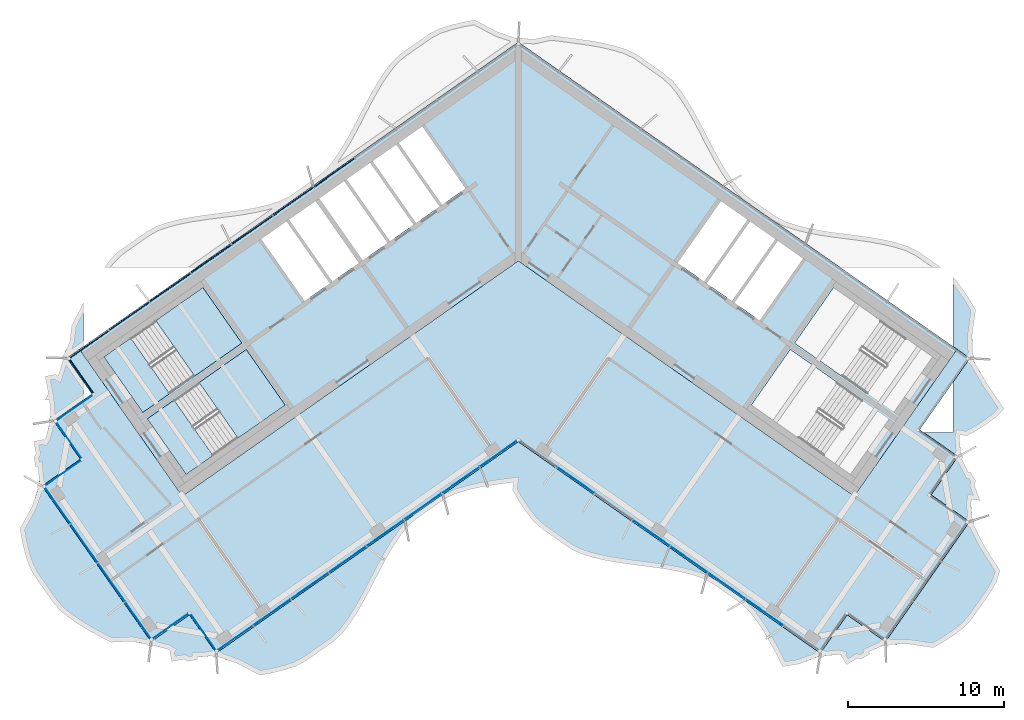
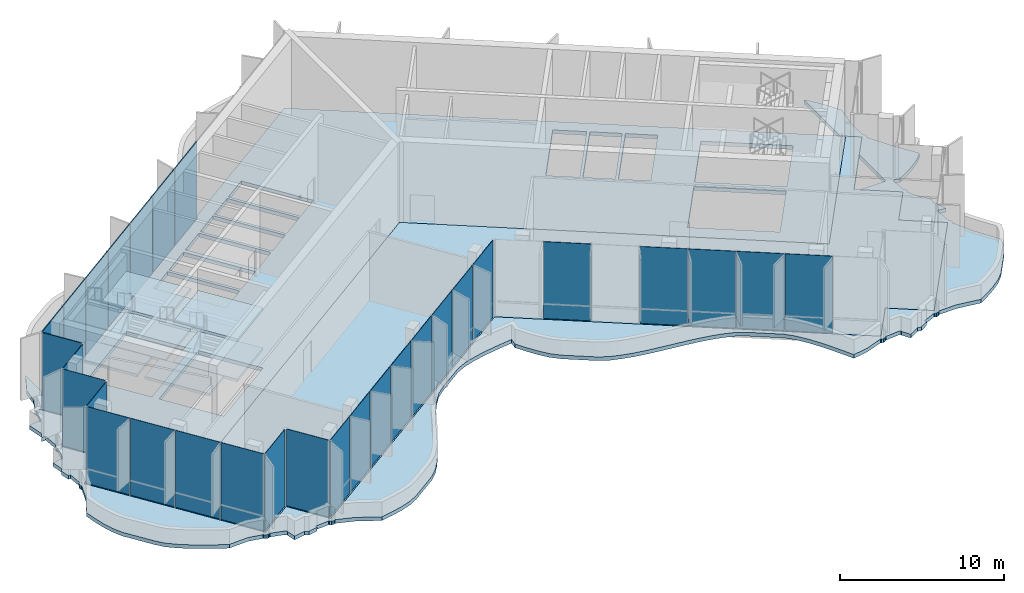
# One storey, part 7 of 18: 30 plates, 9 slabs, 4 elements without a shape of their own.
"""IFC4 building model written with IfcOpenShell, lengths in metres."""

from ifc_helpers import new_model, si_unit, direction, frame, origin, origin_2d, place, context, subcontext, project, spatial, polyline, rectangle, outline, extrude, material, layer, layer_set, type_object, element, aggregate, save


model = new_model("IFC4")

# Units and contexts
model_context = context("Model", 3, precision=1e-05, world=origin(), true_north=direction((0.0, 1.0)))
body_context = subcontext(model_context, "Body", "Model", "MODEL_VIEW")
ifc_project = project(units=[si_unit("LENGTHUNIT", "METRE"), si_unit("AREAUNIT", "SQUARE_METRE"), si_unit("VOLUMEUNIT", "CUBIC_METRE"), si_unit("PLANEANGLEUNIT", "RADIAN"), si_unit("MASSUNIT", "GRAM", prefix="KILO")], contexts=[model_context])

# Site, building, storey
site_placement = place(None, origin())
site = spatial("IfcSite", under=ifc_project, at=site_placement, CompositionType="ELEMENT")
building_placement = place(site_placement, origin())
building = spatial("IfcBuilding", under=site, at=building_placement, Name="Tel Ilan Convention Tower", CompositionType="ELEMENT")
storey_placement = place(building_placement, frame((0.0, 0.0, 307.300048828125)))
storey = spatial("IfcBuildingStorey", under=building, at=storey_placement, Name="L73", CompositionType="ELEMENT", Elevation=307.300048828125)

# Curtain wall, plates
ifc_material_1 = material(Name="Aluminium, bronze anodised", Category="aluminium")
curtain_wall_type_1 = type_object("IfcCurtainWallType", Name="CW2 STICK CURTAIN WALL, SPANDREL PANELS", PredefinedType="NOTDEFINED", material=ifc_material_1)
curtain_wall_1_placement = place(storey_placement, origin())
curtain_wall_1 = element("IfcCurtainWall", 1, at=curtain_wall_1_placement, inside=storey, type_object=curtain_wall_type_1, Name="Curtain wall CW2-55.01", PredefinedType="NOTDEFINED")
ifc_material_2 = material(Name="Aluminium composite panel, bronze anodised", Category="aluminium")
ifc_layer_1 = layer(ifc_material_2, 0.06005859375)
ifc_layer_set_1 = layer_set([ifc_layer_1], Name="CW SPANDREL PANEL 60")
plate_type_1 = type_object("IfcPlateType", Name="CW SPANDREL PANEL 60", PredefinedType="CURTAIN_PANEL", material=ifc_layer_set_1)
plate_1_placement = place(storey_placement, frame((-11.789306640625, 4.44091796875, 0.0), z_axis=(0.0, 0.0, 1.0), x_axis=(-0.819152044289, -0.573576436351, 0.0)))
plate_1 = element("IfcPlate", 2, at=plate_1_placement, type_object=plate_type_1, Name="Spandrel panel", PredefinedType="CURTAIN_PANEL", context=body_context, shape_type="SweptSolid", body=[
    extrude(rectangle(XDim=3.15380859375, YDim=0.06005859375, at=origin_2d()), origin(), (0.0, 0.0, 1.0), 5.719970703125),
])
plate_2_placement = place(storey_placement, frame((-14.422119140625, 2.59765625, 0.0), z_axis=(0.0, 0.0, 1.0), x_axis=(-0.819152044289, -0.573576436351, 0.0)))
plate_2 = element("IfcPlate", 3, at=plate_2_placement, type_object=plate_type_1, Name="Spandrel panel", PredefinedType="CURTAIN_PANEL", context=body_context, shape_type="SweptSolid", body=[
    extrude(rectangle(XDim=3.15380859375, YDim=0.06005859375, at=origin_2d()), origin(), (0.0, 0.0, 1.0), 5.719970703125),
])
plate_3_placement = place(storey_placement, frame((-17.0546875, 0.754150390625, 0.0), z_axis=(0.0, 0.0, 1.0), x_axis=(-0.819152044289, -0.573576436351, 0.0)))
plate_3 = element("IfcPlate", 4, at=plate_3_placement, type_object=plate_type_1, Name="Spandrel panel", PredefinedType="CURTAIN_PANEL", context=body_context, shape_type="SweptSolid", body=[
    extrude(rectangle(XDim=3.15380859375, YDim=0.06005859375, at=origin_2d()), origin(), (0.0, 0.0, 1.0), 5.719970703125),
])
plate_4_placement = place(storey_placement, frame((-19.687255859375, -1.089111328125, 0.0), z_axis=(0.0, 0.0, 1.0), x_axis=(-0.819152044289, -0.573576436351, 0.0)))
plate_4 = element("IfcPlate", 5, at=plate_4_placement, type_object=plate_type_1, Name="Spandrel panel", PredefinedType="CURTAIN_PANEL", context=body_context, shape_type="SweptSolid", body=[
    extrude(rectangle(XDim=3.15380859375, YDim=0.06005859375, at=origin_2d()), origin(), (0.0, 0.0, 1.0), 5.719970703125),
])
plate_5_placement = place(storey_placement, frame((-22.31982421875, -2.9326171875, 0.0), z_axis=(0.0, 0.0, 1.0), x_axis=(-0.819152044289, -0.573576436351, 0.0)))
plate_5 = element("IfcPlate", 6, at=plate_5_placement, type_object=plate_type_1, Name="Spandrel panel", PredefinedType="CURTAIN_PANEL", context=body_context, shape_type="SweptSolid", body=[
    extrude(rectangle(XDim=3.15380859375, YDim=0.06005859375, at=origin_2d()), origin(), (0.0, 0.0, 1.0), 5.719970703125),
])
plate_6_placement = place(storey_placement, frame((-24.95263671875, -4.77587890625, 0.0), z_axis=(0.0, 0.0, 1.0), x_axis=(-0.819152044289, -0.573576436351, 0.0)))
plate_6 = element("IfcPlate", 7, at=plate_6_placement, type_object=plate_type_1, Name="Spandrel panel", PredefinedType="CURTAIN_PANEL", context=body_context, shape_type="SweptSolid", body=[
    extrude(rectangle(XDim=3.15380859375, YDim=0.06005859375, at=origin_2d()), origin(), (0.0, 0.0, 1.0), 5.719970703125),
])
plate_7_placement = place(storey_placement, frame((-27.5400390625, -6.587646484375, 0.0), z_axis=(0.0, 0.0, 1.0), x_axis=(-0.819152044289, -0.573576436351, 0.0)))
plate_7 = element("IfcPlate", 8, at=plate_7_placement, type_object=plate_type_1, Name="Spandrel panel", PredefinedType="CURTAIN_PANEL", context=body_context, shape_type="SweptSolid", body=[
    extrude(rectangle(XDim=3.0439453125, YDim=0.06005859375, at=origin_2d()), origin(), (0.0, 0.0, 1.0), 5.719970703125),
])
plate_8_placement = place(storey_placement, frame((-28.033935546875, -8.60546875, 0.0), z_axis=(0.0, 0.0, 1.0), x_axis=(0.573576436351, -0.819152044289, 0.0)))
plate_8 = element("IfcPlate", 9, at=plate_8_placement, type_object=plate_type_1, Name="Spandrel panel", PredefinedType="CURTAIN_PANEL", context=body_context, shape_type="SweptSolid", body=[
    extrude(rectangle(XDim=2.658935546875, YDim=0.06005859375, at=origin_2d()), origin(), (0.0, 0.0, 1.0), 5.719970703125),
])
aggregate(curtain_wall_1, [plate_1, plate_2, plate_3, plate_4, plate_5, plate_6, plate_7, plate_8])

ifc_material_3 = material(Name="Aluminium, bronze anodised", Category="aluminium")
curtain_wall_type_2 = type_object("IfcCurtainWallType", Name="CW5 STICK CURTAIN WALL, UPPER OFFICE LOW-IRON TINTED GLASS", PredefinedType="NOTDEFINED", material=ifc_material_3)
curtain_wall_2_placement = place(storey_placement, origin())
curtain_wall_2 = element("IfcCurtainWall", 10, at=curtain_wall_2_placement, inside=storey, type_object=curtain_wall_type_2, Name="Curtain wall CW5-55.02", PredefinedType="NOTDEFINED")
ifc_material_4 = material(Name="Glass, low-iron bronze tinted, two-ply", Category="glass")
ifc_layer_2 = layer(ifc_material_4, 0.031982421875)
ifc_layer_set_2 = layer_set([ifc_layer_2], Name="CW UPPER GLASS PANEL 32")
plate_type_2 = type_object("IfcPlateType", Name="CW UPPER GLASS PANEL 32", PredefinedType="CURTAIN_PANEL", material=ifc_layer_set_2)
plate_9_placement = place(storey_placement, frame((-28.473876953125, -10.65966796875, 0.0), z_axis=(0.0, 0.0, 1.0), x_axis=(-0.819152044289, -0.573576436351, 0.0)))
plate_9 = element("IfcPlate", 11, at=plate_9_placement, type_object=plate_type_2, Name="Glass panel", PredefinedType="CURTAIN_PANEL", context=body_context, shape_type="SweptSolid", body=[
    extrude(rectangle(XDim=2.875, YDim=0.028076171875, at=origin_2d()), origin(), (0.0, 0.0, 1.0), 5.719970703125),
])
plate_10_placement = place(storey_placement, frame((-28.832763671875, -12.695068359375, 0.0), z_axis=(0.0, 0.0, 1.0), x_axis=(0.573576436351, -0.819152044289, 0.0)))
plate_10 = element("IfcPlate", 12, at=plate_10_placement, type_object=plate_type_2, Name="Glass panel", PredefinedType="CURTAIN_PANEL", context=body_context, shape_type="SweptSolid", body=[
    extrude(rectangle(XDim=2.875, YDim=0.028076171875, at=origin_2d()), origin(), (0.0, 0.0, 1.0), 5.719970703125),
])
plate_11_placement = place(storey_placement, frame((-29.21044921875, -14.837890625, 0.0), z_axis=(0.0, 0.0, 1.0), x_axis=(-0.819152044289, -0.573576436351, 0.0)))
plate_11 = element("IfcPlate", 13, at=plate_11_placement, type_object=plate_type_2, Name="Glass panel", PredefinedType="CURTAIN_PANEL", context=body_context, shape_type="SweptSolid", body=[
    extrude(rectangle(XDim=2.875, YDim=0.028076171875, at=origin_2d()), origin(), (0.0, 0.0, 1.0), 5.719970703125),
])
plate_12_placement = place(storey_placement, frame((-29.5634765625, -16.8818359375, 0.0), z_axis=(0.0, 0.0, 1.0), x_axis=(0.573576436351, -0.819152044289, 0.0)))
plate_12 = element("IfcPlate", 14, at=plate_12_placement, type_object=plate_type_2, Name="Glass panel", PredefinedType="CURTAIN_PANEL", context=body_context, shape_type="SweptSolid", body=[
    extrude(rectangle(XDim=2.89599609375, YDim=0.028076171875, at=origin_2d()), origin(), (0.0, 0.0, 1.0), 5.719970703125),
])
plate_13_placement = place(storey_placement, frame((-27.841064453125, -19.341796875, 0.0), z_axis=(0.0, 0.0, 1.0), x_axis=(0.573576436351, -0.819152044289, 0.0)))
plate_13 = element("IfcPlate", 15, at=plate_13_placement, type_object=plate_type_2, Name="Glass panel", PredefinedType="CURTAIN_PANEL", context=body_context, shape_type="SweptSolid", body=[
    extrude(rectangle(XDim=2.989990234375, YDim=0.028076171875, at=origin_2d()), origin(), (0.0, 0.0, 1.0), 5.719970703125),
])
plate_14_placement = place(storey_placement, frame((-26.091552734375, -21.84033203125, 0.0), z_axis=(0.0, 0.0, 1.0), x_axis=(0.573576436351, -0.819152044289, 0.0)))
plate_14 = element("IfcPlate", 16, at=plate_14_placement, type_object=plate_type_2, Name="Glass panel", PredefinedType="CURTAIN_PANEL", context=body_context, shape_type="SweptSolid", body=[
    extrude(rectangle(XDim=2.989990234375, YDim=0.028076171875, at=origin_2d()), origin(), (0.0, 0.0, 1.0), 5.719970703125),
])
plate_15_placement = place(storey_placement, frame((-24.369140625, -24.30029296875, 0.0), z_axis=(0.0, 0.0, 1.0), x_axis=(0.573576436351, -0.819152044289, 0.0)))
plate_15 = element("IfcPlate", 17, at=plate_15_placement, type_object=plate_type_2, Name="Glass panel", PredefinedType="CURTAIN_PANEL", context=body_context, shape_type="SweptSolid", body=[
    extrude(rectangle(XDim=2.89599609375, YDim=0.028076171875, at=origin_2d()), origin(), (0.0, 0.0, 1.0), 5.719970703125),
])
plate_16_placement = place(storey_placement, frame((-22.32763671875, -24.667724609375, 0.0), z_axis=(0.0, 0.0, 1.0), x_axis=(0.819152044289, 0.573576436351, 0.0)))
plate_16 = element("IfcPlate", 18, at=plate_16_placement, type_object=plate_type_2, Name="Glass panel", PredefinedType="CURTAIN_PANEL", context=body_context, shape_type="SweptSolid", body=[
    extrude(rectangle(XDim=2.875, YDim=0.028076171875, at=origin_2d()), origin(), (0.0, 0.0, 1.0), 5.719970703125),
])
plate_17_placement = place(storey_placement, frame((-20.184814453125, -25.04541015625, 0.0), z_axis=(0.0, 0.0, 1.0), x_axis=(0.573576436351, -0.819152044289, 0.0)))
plate_17 = element("IfcPlate", 19, at=plate_17_placement, type_object=plate_type_2, Name="Glass panel", PredefinedType="CURTAIN_PANEL", context=body_context, shape_type="SweptSolid", body=[
    extrude(rectangle(XDim=2.875, YDim=0.028076171875, at=origin_2d()), origin(), (0.0, 0.0, 1.0), 5.719970703125),
])
plate_18_placement = place(storey_placement, frame((-18.17919921875, -25.42529296875, 0.0), z_axis=(0.0, 0.0, 1.0), x_axis=(0.819152044289, 0.573576436351, 0.0)))
plate_18 = element("IfcPlate", 20, at=plate_18_placement, type_object=plate_type_2, Name="Glass panel", PredefinedType="CURTAIN_PANEL", context=body_context, shape_type="SweptSolid", body=[
    extrude(rectangle(XDim=2.802001953125, YDim=0.028076171875, at=origin_2d()), origin(), (0.0, 0.0, 1.0), 5.719970703125),
])
plate_19_placement = place(storey_placement, frame((-15.79638671875, -23.7568359375, 0.0), z_axis=(0.0, 0.0, 1.0), x_axis=(0.819152044289, 0.573576436351, 0.0)))
plate_19 = element("IfcPlate", 21, at=plate_19_placement, type_object=plate_type_2, Name="Glass panel", PredefinedType="CURTAIN_PANEL", context=body_context, shape_type="SweptSolid", body=[
    extrude(rectangle(XDim=2.89599609375, YDim=0.028076171875, at=origin_2d()), origin(), (0.0, 0.0, 1.0), 5.719970703125),
])
plate_20_placement = place(storey_placement, frame((-13.375, -22.061279296875, 0.0), z_axis=(0.0, 0.0, 1.0), x_axis=(0.819152044289, 0.573576436351, 0.0)))
plate_20 = element("IfcPlate", 22, at=plate_20_placement, type_object=plate_type_2, Name="Glass panel", PredefinedType="CURTAIN_PANEL", context=body_context, shape_type="SweptSolid", body=[
    extrude(rectangle(XDim=2.89599609375, YDim=0.028076171875, at=origin_2d()), origin(), (0.0, 0.0, 1.0), 5.719970703125),
])
plate_21_placement = place(storey_placement, frame((-10.95361328125, -20.365966796875, 0.0), z_axis=(0.0, 0.0, 1.0), x_axis=(0.819152044289, 0.573576436351, 0.0)))
plate_21 = element("IfcPlate", 23, at=plate_21_placement, type_object=plate_type_2, Name="Glass panel", PredefinedType="CURTAIN_PANEL", context=body_context, shape_type="SweptSolid", body=[
    extrude(rectangle(XDim=2.89599609375, YDim=0.028076171875, at=origin_2d()), origin(), (0.0, 0.0, 1.0), 5.719970703125),
])
plate_22_placement = place(storey_placement, frame((-8.5322265625, -18.67041015625, 0.0), z_axis=(0.0, 0.0, 1.0), x_axis=(0.819152044289, 0.573576436351, 0.0)))
plate_22 = element("IfcPlate", 24, at=plate_22_placement, type_object=plate_type_2, Name="Glass panel", PredefinedType="CURTAIN_PANEL", context=body_context, shape_type="SweptSolid", body=[
    extrude(rectangle(XDim=2.89599609375, YDim=0.028076171875, at=origin_2d()), origin(), (0.0, 0.0, 1.0), 5.719970703125),
])
plate_23_placement = place(storey_placement, frame((-6.11083984375, -16.974853515625, 0.0), z_axis=(0.0, 0.0, 1.0), x_axis=(0.819152044289, 0.573576436351, 0.0)))
plate_23 = element("IfcPlate", 25, at=plate_23_placement, type_object=plate_type_2, Name="Glass panel", PredefinedType="CURTAIN_PANEL", context=body_context, shape_type="SweptSolid", body=[
    extrude(rectangle(XDim=2.89599609375, YDim=0.028076171875, at=origin_2d()), origin(), (0.0, 0.0, 1.0), 5.719970703125),
])
plate_24_placement = place(storey_placement, frame((-3.689453125, -15.279541015625, 0.0), z_axis=(0.0, 0.0, 1.0), x_axis=(0.819152044289, 0.573576436351, 0.0)))
plate_24 = element("IfcPlate", 26, at=plate_24_placement, type_object=plate_type_2, Name="Glass panel", PredefinedType="CURTAIN_PANEL", context=body_context, shape_type="SweptSolid", body=[
    extrude(rectangle(XDim=2.89599609375, YDim=0.028076171875, at=origin_2d()), origin(), (0.0, 0.0, 1.0), 5.719970703125),
])
plate_25_placement = place(storey_placement, frame((-1.2685546875, -13.584228515625, 0.0), z_axis=(0.0, 0.0, 1.0), x_axis=(0.819152044289, 0.573576436351, 0.0)))
plate_25 = element("IfcPlate", 27, at=plate_25_placement, type_object=plate_type_2, Name="Glass panel", PredefinedType="CURTAIN_PANEL", context=body_context, shape_type="SweptSolid", body=[
    extrude(rectangle(XDim=2.89501953125, YDim=0.028076171875, at=origin_2d()), origin(), (0.0, 0.0, 1.0), 5.719970703125),
])
plate_26_placement = place(storey_placement, frame((3.689453125, -15.279541015625, 0.0), z_axis=(0.0, 0.0, 1.0), x_axis=(0.819152044289, -0.573576436351, 0.0)))
plate_26 = element("IfcPlate", 28, at=plate_26_placement, type_object=plate_type_2, Name="Glass panel", PredefinedType="CURTAIN_PANEL", context=body_context, shape_type="SweptSolid", body=[
    extrude(rectangle(XDim=2.89599609375, YDim=0.028076171875, at=origin_2d()), origin(), (0.0, 0.0, 1.0), 5.719970703125),
])
plate_27_placement = place(storey_placement, frame((8.5322265625, -18.67041015625, 0.0), z_axis=(0.0, 0.0, 1.0), x_axis=(0.819152044289, -0.573576436351, 0.0)))
plate_27 = element("IfcPlate", 29, at=plate_27_placement, type_object=plate_type_2, Name="Glass panel", PredefinedType="CURTAIN_PANEL", context=body_context, shape_type="SweptSolid", body=[
    extrude(rectangle(XDim=2.89599609375, YDim=0.028076171875, at=origin_2d()), origin(), (0.0, 0.0, 1.0), 5.719970703125),
])
plate_28_placement = place(storey_placement, frame((10.95361328125, -20.365966796875, 0.0), z_axis=(0.0, 0.0, 1.0), x_axis=(0.819152044289, -0.573576436351, 0.0)))
plate_28 = element("IfcPlate", 30, at=plate_28_placement, type_object=plate_type_2, Name="Glass panel", PredefinedType="CURTAIN_PANEL", context=body_context, shape_type="SweptSolid", body=[
    extrude(rectangle(XDim=2.89599609375, YDim=0.028076171875, at=origin_2d()), origin(), (0.0, 0.0, 1.0), 5.719970703125),
])
plate_29_placement = place(storey_placement, frame((13.375, -22.061279296875, 0.0), z_axis=(0.0, 0.0, 1.0), x_axis=(0.819152044289, -0.573576436351, 0.0)))
plate_29 = element("IfcPlate", 31, at=plate_29_placement, type_object=plate_type_2, Name="Glass panel", PredefinedType="CURTAIN_PANEL", context=body_context, shape_type="SweptSolid", body=[
    extrude(rectangle(XDim=2.89599609375, YDim=0.028076171875, at=origin_2d()), origin(), (0.0, 0.0, 1.0), 5.719970703125),
])
plate_30_placement = place(storey_placement, frame((15.79638671875, -23.7568359375, 0.0), z_axis=(0.0, 0.0, 1.0), x_axis=(0.819152044289, -0.573576436351, 0.0)))
plate_30 = element("IfcPlate", 32, at=plate_30_placement, type_object=plate_type_2, Name="Glass panel", PredefinedType="CURTAIN_PANEL", context=body_context, shape_type="SweptSolid", body=[
    extrude(rectangle(XDim=2.89599609375, YDim=0.028076171875, at=origin_2d()), origin(), (0.0, 0.0, 1.0), 5.719970703125),
])
aggregate(curtain_wall_2, [plate_9, plate_10, plate_11, plate_12, plate_13, plate_14, plate_15, plate_16, plate_17, plate_18, plate_19, plate_20, plate_21, plate_22, plate_23, plate_24, plate_25, plate_26, plate_27, plate_28, plate_29, plate_30])

# Stair, slabs
ifc_material_5 = material(Name="Concrete C40/50", Category="concrete")
stair_type = type_object("IfcStairType", Name="Pressurised Exit Stair 32 risers 188 mm", PredefinedType="HALF_TURN_STAIR", material=ifc_material_5)
stair_1_placement = place(storey_placement, origin())
stair_1 = element("IfcStair", 33, at=stair_1_placement, inside=storey, type_object=stair_type, Name="L73 Pressurised Stair S1", PredefinedType="HALF_TURN_STAIR")
ifc_material_6 = material(Name="Concrete C40/50", Category="concrete")
ifc_layer_3 = layer(ifc_material_6, 0.199951171875)
ifc_layer_set_3 = layer_set([ifc_layer_3], Name="Concrete Stair Landing 200 mm C40/50")
slab_type_1 = type_object("IfcSlabType", Name="Concrete Stair Landing 200 mm", PredefinedType="LANDING", material=ifc_layer_set_3)
slab_1_placement = place(storey_placement, frame((0.0, 0.0, 1.300048828125)))
slab_1 = element("IfcSlab", 34, at=slab_1_placement, type_object=slab_type_1, Name="S1 landing 1", PredefinedType="LANDING", context=body_context, shape_type="SweptSolid", body=[
    extrude(outline(polyline([(-20.754638671875, -8.61181640625), (-17.7314453125, -6.494873046875), (-20.226318359375, -2.931640625), (-23.249755859375, -5.048583984375), (-20.754638671875, -8.61181640625)])), origin(), (0.0, 0.0, 1.0), 0.199951171875),
])
slab_2_placement = place(storey_placement, frame((0.0, 0.0, 2.800048828125)))
slab_2 = element("IfcSlab", 35, at=slab_2_placement, type_object=slab_type_1, Name="S1 landing 2", PredefinedType="LANDING", context=body_context, shape_type="SweptSolid", body=[
    extrude(outline(polyline([(-24.079833984375, -10.940185546875), (-22.35888671875, -9.735107421875), (-24.85400390625, -6.171875), (-26.574951171875, -7.376708984375), (-24.079833984375, -10.940185546875)])), origin(), (0.0, 0.0, 1.0), 0.199951171875),
])
slab_3_placement = place(storey_placement, frame((0.0, 0.0, 4.300048828125)))
slab_3 = element("IfcSlab", 36, at=slab_3_placement, type_object=slab_type_1, Name="S1 landing 3", PredefinedType="LANDING", context=body_context, shape_type="SweptSolid", body=[
    extrude(outline(polyline([(-20.754638671875, -8.61181640625), (-17.7314453125, -6.494873046875), (-20.226318359375, -2.931640625), (-23.249755859375, -5.048583984375), (-20.754638671875, -8.61181640625)])), origin(), (0.0, 0.0, 1.0), 0.199951171875),
])
aggregate(stair_1, [slab_1, slab_2, slab_3])

stair_2_placement = place(storey_placement, origin())
stair_2 = element("IfcStair", 37, at=stair_2_placement, inside=storey, type_object=stair_type, Name="L73 Pressurised Stair S2", PredefinedType="HALF_TURN_STAIR")
slab_4_placement = place(storey_placement, frame((0.0, 0.0, 1.300048828125)))
slab_4 = element("IfcSlab", 38, at=slab_4_placement, type_object=slab_type_1, Name="S2 landing 1", PredefinedType="LANDING", context=body_context, shape_type="SweptSolid", body=[
    extrude(outline(polyline([(-17.972900390625, -12.584716796875), (-14.949462890625, -10.4677734375), (-17.444580078125, -6.904541015625), (-20.468017578125, -9.021484375), (-17.972900390625, -12.584716796875)])), origin(), (0.0, 0.0, 1.0), 0.199951171875),
])
slab_5_placement = place(storey_placement, frame((0.0, 0.0, 2.800048828125)))
slab_5 = element("IfcSlab", 39, at=slab_5_placement, type_object=slab_type_1, Name="S2 landing 2", PredefinedType="LANDING", context=body_context, shape_type="SweptSolid", body=[
    extrude(outline(polyline([(-21.2978515625, -14.9130859375), (-19.5771484375, -13.7080078125), (-22.072021484375, -10.144775390625), (-23.79296875, -11.349609375), (-21.2978515625, -14.9130859375)])), origin(), (0.0, 0.0, 1.0), 0.199951171875),
])
slab_6_placement = place(storey_placement, frame((0.0, 0.0, 4.300048828125)))
slab_6 = element("IfcSlab", 40, at=slab_6_placement, type_object=slab_type_1, Name="S2 landing 3", PredefinedType="LANDING", context=body_context, shape_type="SweptSolid", body=[
    extrude(outline(polyline([(-17.972900390625, -12.584716796875), (-14.949462890625, -10.4677734375), (-17.444580078125, -6.904541015625), (-20.468017578125, -9.021484375), (-17.972900390625, -12.584716796875)])), origin(), (0.0, 0.0, 1.0), 0.199951171875),
])
aggregate(stair_2, [slab_4, slab_5, slab_6])

# Slabs
ifc_material_7 = material(Name="Concrete C40/50", Category="concrete")
ifc_layer_4 = layer(ifc_material_7, 0.280029296875)
ifc_layer_set_4 = layer_set([ifc_layer_4], Name="Core Floor Slab 280 mm C40/50")
slab_type_2 = type_object("IfcSlabType", Name="Core Floor Slab 280 mm C40/50", PredefinedType="FLOOR", material=ifc_layer_set_4)
slab_7_placement = place(storey_placement, frame((0.0, 0.0, -0.280029296875)))
element("IfcSlab", 41, at=slab_7_placement, inside=storey, type_object=slab_type_2, Name="L73 core floor 1", PredefinedType="FLOOR", context=body_context, shape_type="SweptSolid", body=[
    extrude(outline(polyline([(0.0, 12.818115234375), (28.1396484375, -6.885498046875), (21.54345703125, -16.3056640625), (0.0, -1.220703125), (-21.54345703125, -16.3056640625), (-28.1396484375, -6.885498046875), (-13.013916015625, 3.705810546875), (-6.48876953125, 8.274658203125), (-4.6650390625, 9.5517578125), (-0.2412109375, 12.6494140625), (0.0, 12.818115234375)]), holes=[polyline([(-17.444580078125, -6.904541015625), (-22.072021484375, -10.144775390625), (-19.5771484375, -13.7080078125), (-14.949462890625, -10.4677734375), (-17.444580078125, -6.904541015625)]), polyline([(-17.7314453125, -6.494873046875), (-20.226318359375, -2.931640625), (-24.85400390625, -6.171875), (-22.35888671875, -9.735107421875), (-17.7314453125, -6.494873046875)]), polyline([(-14.864990234375, 1.310791015625), (-16.48291015625, 0.177978515625), (-13.701171875, -3.794921875), (-12.083251953125, -2.662109375), (-14.864990234375, 1.310791015625)]), polyline([(-14.701416015625, 1.425537109375), (-11.91943359375, -2.54736328125), (-10.2197265625, -1.357421875), (-13.001708984375, 2.615478515625), (-14.701416015625, 1.425537109375)]), polyline([(-11.168701171875, 3.89892578125), (-12.755859375, 2.78759765625), (-9.97412109375, -1.185302734375), (-8.386962890625, -0.073974609375), (-11.168701171875, 3.89892578125)]), polyline([(-9.499755859375, 5.067626953125), (-11.0048828125, 4.013671875), (-8.222900390625, 0.040771484375), (-6.718017578125, 1.0947265625), (-9.499755859375, 5.067626953125)]), polyline([(-9.3359375, 5.182373046875), (-6.553955078125, 1.20947265625), (-5.048828125, 2.263427734375), (-7.830810546875, 6.236328125), (-9.3359375, 5.182373046875)]), polyline([(17.444580078125, -6.904541015625), (14.949462890625, -10.4677734375), (19.5771484375, -13.7080078125), (22.072021484375, -10.144775390625), (17.444580078125, -6.904541015625)]), polyline([(20.226318359375, -2.931640625), (17.7314453125, -6.494873046875), (22.35888671875, -9.735107421875), (24.85400390625, -6.171875), (20.226318359375, -2.931640625)]), polyline([(15.48291015625, -5.04248046875), (18.2646484375, -1.069580078125), (16.646728515625, 0.063232421875), (13.864990234375, -3.90966796875), (15.48291015625, -5.04248046875)]), polyline([(13.701171875, -3.794921875), (16.48291015625, 0.177978515625), (14.864990234375, 1.310791015625), (12.083251953125, -2.662109375), (13.701171875, -3.794921875)]), polyline([(11.91943359375, -2.54736328125), (14.701416015625, 1.425537109375), (13.001708984375, 2.615478515625), (10.2197265625, -1.357421875), (11.91943359375, -2.54736328125)]), polyline([(-6.16162109375, 7.405029296875), (-7.666748046875, 6.35107421875), (-4.885009765625, 2.378173828125), (-3.3798828125, 3.43212890625), (-6.16162109375, 7.405029296875)])]), origin(), (0.0, 0.0, 1.0), 0.280029296875),
])
ifc_material_8 = material(Name="Concrete C40/50", Category="concrete")
ifc_layer_5 = layer(ifc_material_8, 0.280029296875)
ifc_layer_set_5 = layer_set([ifc_layer_5], Name="Edge Ledge Slab 280 mm C40/50")
slab_type_3 = type_object("IfcSlabType", Name="Edge Ledge Slab 280 mm C40/50", PredefinedType="FLOOR", material=ifc_layer_set_5)
slab_8_placement = place(storey_placement, frame((0.0, 0.0, -0.280029296875)))
element("IfcSlab", 42, at=slab_8_placement, inside=storey, type_object=slab_type_3, Name="L73 edge ledge 1", PredefinedType="FLOOR", context=body_context, shape_type="SweptSolid", body=[
    extrude(outline(polyline([(-21.201171875, -26.90673828125), (-21.43505859375, -26.76416015625), (-22.220703125, -26.912109375), (-22.353515625, -26.272705078125), (-22.322998046875, -26.222900390625), (-22.47900390625, -26.1279296875), (-23.377197265625, -25.89111328125), (-23.380615234375, -25.88623046875), (-23.4345703125, -25.92236328125), (-23.54931640625, -25.9453125), (-23.664306640625, -25.92236328125), (-23.761474609375, -25.857421875), (-23.790283203125, -25.81396484375), (-23.795166015625, -25.8173828125), (-24.760498046875, -25.6171875), (-26.1044921875, -25.68212890625), (-26.829833984375, -25.31396484375), (-27.530029296875, -24.92822265625), (-28.201171875, -24.52197265625), (-28.832275390625, -24.087890625), (-29.4140625, -23.619140625), (-29.873291015625, -23.064697265625), (-31.108154296875, -21.301025390625), (-31.42236328125, -20.64501953125), (-31.646484375, -19.92578125), (-31.82470703125, -19.17431640625), (-31.955078125, -18.389892578125), (-31.176513671875, -16.968505859375), (-30.792724609375, -15.82373046875), (-30.7880859375, -15.8203125), (-30.82421875, -15.766357421875), (-30.846923828125, -15.651611328125), (-30.82421875, -15.536865234375), (-30.759033203125, -15.439453125), (-30.7158203125, -15.410400390625), (-30.718994140625, -15.40576171875), (-30.792236328125, -14.43359375), (-30.93896484375, -14.461181640625), (-31.07177734375, -13.821533203125), (-30.92919921875, -13.587646484375), (-31.077392578125, -12.802001953125), (-30.437744140625, -12.66943359375), (-30.387939453125, -12.69970703125), (-30.29296875, -12.5439453125), (-30.055908203125, -11.6455078125), (-30.05126953125, -11.64208984375), (-30.08740234375, -11.588134765625), (-30.1103515625, -11.473388671875), (-30.08740234375, -11.358642578125), (-30.0224609375, -11.26123046875), (-29.97900390625, -11.232421875), (-29.982421875, -11.227783203125), (-30.06494140625, -10.129150390625), (-30.35888671875, -10.1484375), (-30.1298828125, -9.741455078125), (-30.340576171875, -8.623779296875), (-29.700927734375, -8.4912109375), (-29.5205078125, -8.601318359375), (-29.20458984375, -7.631103515625), (-29.199951171875, -7.6279296875), (-29.236083984375, -7.57373046875), (-29.2587890625, -7.458984375), (-29.236083984375, -7.34423828125), (-29.1708984375, -7.246826171875), (-29.127685546875, -7.218017578125), (-29.130859375, -7.21337890625), (-28.772216796875, -6.441650390625), (-28.635009765625, -5.353515625), (-28.252685546875, -4.614990234375), (-27.875, -3.881103515625), (-27.875, -6.7001953125), (-28.958740234375, -7.458984375), (-27.875, -9.007080078125), (-27.875, -10.1181640625), (-29.810302734375, -11.473388671875), (-28.089599609375, -13.930908203125), (-30.547119140625, -15.651611328125), (-23.54931640625, -25.645263671875), (-21.091796875, -23.924560546875), (-19.37109375, -26.382080078125), (0.0, -12.818115234375), (19.37109375, -26.382080078125), (21.091796875, -23.924560546875), (23.54931640625, -25.645263671875), (28.94091796875, -17.9453125), (26.4833984375, -16.224609375), (28.2041015625, -13.76708984375), (26.023681640625, -12.239990234375), (27.875, -12.239990234375), (27.875, -9.007080078125), (28.958740234375, -7.458984375), (27.875, -6.7001953125), (27.875, -2.269287109375), (28.0107421875, -2.392578125), (28.48388671875, -3.001220703125), (28.922119140625, -3.6591796875), (29.331298828125, -4.35888671875), (29.109619140625, -5.95947265625), (29.130859375, -7.21337890625), (29.127685546875, -7.218017578125), (29.1708984375, -7.246826171875), (29.236083984375, -7.34423828125), (29.2587890625, -7.458984375), (29.236083984375, -7.57373046875), (29.199951171875, -7.6279296875), (29.20458984375, -7.631103515625), (30.056640625, -9.082275390625), (31.151123046875, -10.703125), (30.66748046875, -11.218994140625), (30.077880859375, -11.660888671875), (29.445068359375, -12.072265625), (28.752685546875, -12.44189453125), (28.33642578125, -12.373291015625), (28.291748046875, -12.595947265625), (28.376220703125, -13.521240234375), (28.373046875, -13.52587890625), (28.41650390625, -13.554931640625), (28.4814453125, -13.652099609375), (28.504150390625, -13.76708984375), (28.4814453125, -13.8818359375), (28.4453125, -13.935791015625), (28.449951171875, -13.939208984375), (28.889404296875, -14.805419921875), (28.979736328125, -14.751708984375), (29.3232421875, -15.30712890625), (29.26171875, -15.613037109375), (29.61181640625, -16.583740234375), (29.080078125, -16.5166015625), (29.028564453125, -16.774169921875), (29.113037109375, -17.699462890625), (29.10986328125, -17.7041015625), (29.153076171875, -17.733154296875), (29.218017578125, -17.830322265625), (29.240966796875, -17.9453125), (29.218017578125, -18.06005859375), (29.181884765625, -18.114013671875), (29.186767578125, -18.1171875), (29.872314453125, -19.47998046875), (30.8984375, -21.081298828125), (30.669189453125, -21.803466796875), (30.31298828125, -22.436767578125), (29.068603515625, -24.213623046875), (28.5625, -24.741943359375), (27.960693359375, -25.203369140625), (27.311767578125, -25.631591796875), (26.617919921875, -26.0283203125), (25.015625, -25.789306640625), (23.795166015625, -25.8173828125), (23.790283203125, -25.81396484375), (23.761474609375, -25.857421875), (23.664306640625, -25.92236328125), (23.54931640625, -25.9453125), (23.4345703125, -25.92236328125), (23.380615234375, -25.88623046875), (23.377197265625, -25.89111328125), (22.488525390625, -26.292236328125), (22.564697265625, -26.4208984375), (22.00927734375, -26.76416015625), (21.740478515625, -26.710205078125), (21.052978515625, -27.1181640625), (20.709716796875, -26.5625), (20.72119140625, -26.50537109375), (20.542236328125, -26.469482421875), (19.616943359375, -26.553955078125), (19.6123046875, -26.55078125), (19.583251953125, -26.593994140625), (19.486083984375, -26.6591796875), (19.37109375, -26.681884765625), (19.25634765625, -26.6591796875), (19.202392578125, -26.623046875), (19.19921875, -26.627685546875), (17.98388671875, -27.074951171875), (16.96240234375, -27.2451171875), (16.57958984375, -26.50341796875), (16.18994140625, -25.771728515625), (15.782958984375, -25.064453125), (15.349853515625, -24.39453125), (14.88330078125, -23.7724609375), (14.356201171875, -23.23681640625), (12.540283203125, -21.965087890625), (11.8955078125, -21.59765625), (11.16455078125, -21.353271484375), (10.3974609375, -21.159912109375), (9.601806640625, -21.008056640625), (8.785888671875, -20.885009765625), (7.958740234375, -20.777587890625), (7.130615234375, -20.672119140625), (6.311279296875, -20.553955078125), (5.510009765625, -20.40966796875), (4.73583984375, -20.22705078125), (3.99609375, -19.9951171875), (3.325927734375, -19.663818359375), (1.510009765625, -18.39208984375), (0.956298828125, -17.894287109375), (0.481201171875, -17.28466796875), (0.041015625, -16.624755859375), (-0.370361328125, -15.923583984375), (-0.30078125, -15.41357421875), (-0.840576171875, -15.48291015625), (-1.66162109375, -15.598876953125), (-2.465087890625, -15.739501953125), (-3.242919921875, -15.9169921875), (-3.987060546875, -16.142822265625), (-4.670654296875, -16.454833984375), (-6.48681640625, -17.726318359375), (-7.052734375, -18.206787109375), (-7.532470703125, -18.809814453125), (-7.976318359375, -19.464599609375), (-8.39111328125, -20.160400390625), (-8.785888671875, -20.885009765625), (-9.16943359375, -21.62548828125), (-9.552001953125, -22.367431640625), (-9.943359375, -23.09716796875), (-10.352783203125, -23.800537109375), (-10.789306640625, -24.4658203125), (-11.26025390625, -25.08154296875), (-11.80078125, -25.597900390625), (-13.61669921875, -26.86962890625), (-14.274169921875, -27.219482421875), (-15.009521484375, -27.45751953125), (-15.780029296875, -27.645263671875), (-16.57958984375, -27.7919921875), (-18.00830078125, -27.0400390625), (-19.19921875, -26.627685546875), (-19.202392578125, -26.623046875), (-19.25634765625, -26.6591796875), (-19.37109375, -26.681884765625), (-19.486083984375, -26.6591796875), (-19.583251953125, -26.593994140625), (-19.6123046875, -26.55078125), (-19.616943359375, -26.553955078125), (-20.58935546875, -26.627197265625), (-20.5615234375, -26.77392578125), (-21.201171875, -26.90673828125)])), origin(), (0.0, 0.0, 1.0), 0.280029296875),
])
ifc_material_9 = material(Name="Concrete C40/50", Category="concrete")
ifc_layer_6 = layer(ifc_material_9, 0.280029296875)
ifc_layer_set_6 = layer_set([ifc_layer_6], Name="Flat Plate Floor Slab 280 mm C40/50")
slab_type_4 = type_object("IfcSlabType", Name="Flat Plate Floor Slab 280 mm C40/50", PredefinedType="FLOOR", material=ifc_layer_set_6)
slab_9_placement = place(storey_placement, frame((0.0, 0.0, -0.280029296875)))
element("IfcSlab", 43, at=slab_9_placement, inside=storey, type_object=slab_type_4, Name="L73 floor slab", PredefinedType="FLOOR", context=body_context, shape_type="SweptSolid", body=[
    extrude(outline(polyline([(-21.54345703125, -16.3056640625), (0.0, -1.220703125), (21.54345703125, -16.3056640625), (28.1396484375, -6.885498046875), (28.958740234375, -7.458984375), (25.746826171875, -12.04638671875), (28.2041015625, -13.76708984375), (26.4833984375, -16.224609375), (28.94091796875, -17.9453125), (23.54931640625, -25.645263671875), (21.091796875, -23.924560546875), (19.37109375, -26.382080078125), (0.0, -12.818115234375), (-19.37109375, -26.382080078125), (-21.091796875, -23.924560546875), (-23.54931640625, -25.645263671875), (-30.547119140625, -15.651611328125), (-28.089599609375, -13.930908203125), (-29.810302734375, -11.473388671875), (-27.352783203125, -9.752685546875), (-28.958740234375, -7.458984375), (-28.1396484375, -6.885498046875), (-21.54345703125, -16.3056640625)])), origin(), (0.0, 0.0, 1.0), 0.280029296875),
])

save(model, "model.ifc")
